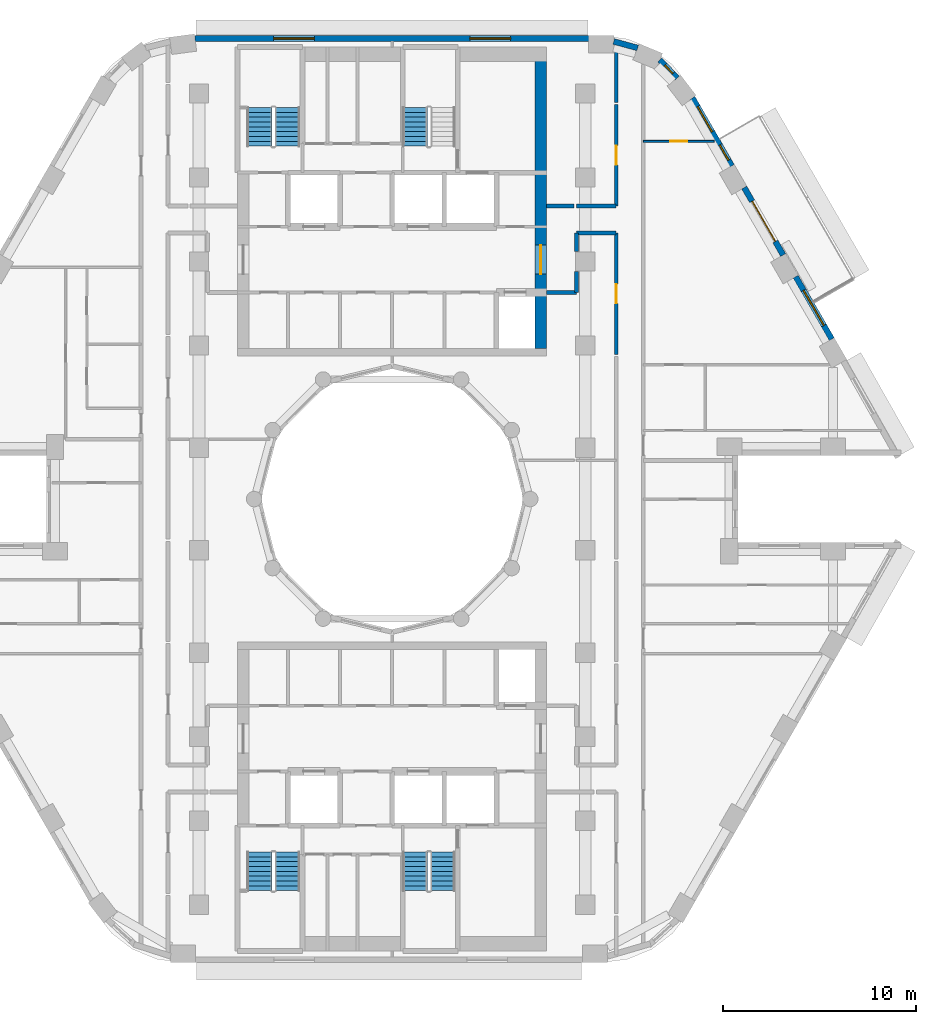
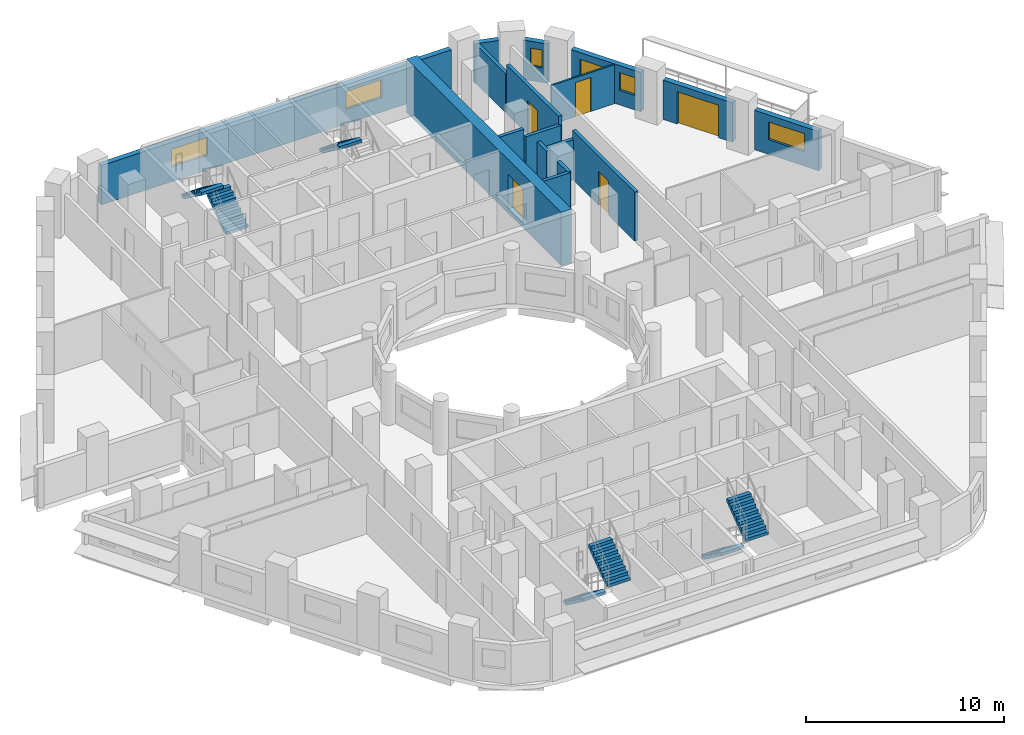
# One storey, part 9 of 14: 17 walls, 7 stair flights, 6 windows, 5 doors, 11 openings, 4 elements without a shape of their own.
"""IFC4 building model written with IfcOpenShell, lengths in metres."""

from ifc_helpers import new_model, si_unit, direction, frame, frame_2d, origin, place, context, subcontext, project, spatial, polyline, rectangle, outline, extrude, material, layer, layer_set, type_object, element, fill, aggregate, save


model = new_model("IFC4")

# Units and contexts
model_context = context("Model", 3, precision=1e-05, world=origin(), true_north=direction((0.0, 1.0)))
body_context = subcontext(model_context, "Body", "Model", "MODEL_VIEW")
ifc_project = project(units=[si_unit("LENGTHUNIT", "METRE"), si_unit("AREAUNIT", "SQUARE_METRE"), si_unit("VOLUMEUNIT", "CUBIC_METRE"), si_unit("PLANEANGLEUNIT", "RADIAN"), si_unit("MASSUNIT", "GRAM", prefix="KILO")], contexts=[model_context])

# Site, building, storey
site_placement = place(None, origin())
site = spatial("IfcSite", under=ifc_project, at=site_placement, CompositionType="ELEMENT")
building_placement = place(site_placement, origin())
building = spatial("IfcBuilding", under=site, at=building_placement, Name="Nakaniwa Court", CompositionType="ELEMENT")
storey_placement = place(building_placement, frame((0.0, 0.0, 163.5)))
storey = spatial("IfcBuildingStorey", under=building, at=storey_placement, Name="L43", CompositionType="ELEMENT", Elevation=163.5)

# Wall, opening, door
ifc_material_1 = material(Name="Acoustic double stud partition")
ifc_layer_1 = layer(ifc_material_1, 0.199951171875)
ifc_layer_set_1 = layer_set([ifc_layer_1], Name="Acoustic double stud partition")
wall_type_1 = type_object("IfcWallType", Name="Acoustic double stud partition 200", PredefinedType="PARTITIONING", material=ifc_layer_set_1)
wall_1_placement = place(storey_placement, frame((91.60009765625, 87.4873046875, 0.0), z_axis=(0.0, 0.0, 1.0), x_axis=(0.0, 1.0, 0.0)))
wall_1 = element("IfcWall", 1, at=wall_1_placement, inside=storey, type_object=wall_type_1, Name="Partition PW-078", PredefinedType="PARTITIONING", context=body_context, shape_type="SweptSolid", body=[
    extrude(rectangle(XDim=6.28759765625, YDim=0.199951171875, at=frame_2d((3.143798828125, 0.0))), origin(), (0.0, 0.0, 1.0), 3.02490234375),
])
opening_1_placement = place(wall_1_placement, frame((2.64501953125, 0.0, 0.0)))
opening_1 = element("IfcOpeningElement", 2, at=opening_1_placement, cuts=wall_1, Name="Opening D-02-08", PredefinedType="OPENING", context=body_context, shape_type="SweptSolid", body=[
    extrude(rectangle(XDim=1.0, YDim=2.10009765625, at=frame_2d((0.5, 1.050048828125))), frame((0.0, 0.10986328125, 0.0), z_axis=(0.0, -1.0, 0.0), x_axis=(1.0, 0.0, 0.0)), (0.0, 0.0, 1.0), 0.219970703125),
])
ifc_material_2 = material(Name="Solid core timber door set, black veneer", Category="wood")
door_type_1 = type_object("IfcDoorType", Name="Internal door 1000", OperationType="NOTDEFINED", PredefinedType="DOOR", material=ifc_material_2)
door_1_placement = place(opening_1_placement, origin())
door_1 = element("IfcDoor", 3, at=door_1_placement, inside=storey, type_object=door_type_1, Name="Door D-02-08 L43-054", OperationType="SINGLE_SWING_LEFT", OverallHeight=2.10009765625, OverallWidth=1.0, PredefinedType="DOOR", context=body_context, shape_type="SweptSolid", body=[
    extrude(rectangle(XDim=1.0, YDim=2.10009765625, at=frame_2d((0.5, 1.050048828125))), frame((0.0, 0.02490234375, 0.0), z_axis=(0.0, -1.0, 0.0), x_axis=(1.0, 0.0, 0.0)), (0.0, 0.0, 1.0), 0.050048828125),
])
fill(opening_1, door_1)

wall_2_placement = place(storey_placement, frame((91.60009765625, 95.175048828125, 0.0), z_axis=(0.0, 0.0, 1.0), x_axis=(0.0, 1.0, 0.0)))
wall_2 = element("IfcWall", 4, at=wall_2_placement, inside=storey, type_object=wall_type_1, Name="Partition PW-079", PredefinedType="PARTITIONING", context=body_context, shape_type="SweptSolid", body=[
    extrude(rectangle(XDim=5.247802734375, YDim=0.199951171875, at=frame_2d((2.6240234375, 0.0))), origin(), (0.0, 0.0, 1.0), 3.02490234375),
])
opening_2_placement = place(wall_2_placement, frame((2.123046875, 0.0, 0.0)))
opening_2 = element("IfcOpeningElement", 5, at=opening_2_placement, cuts=wall_2, Name="Opening D-02-09", PredefinedType="OPENING", context=body_context, shape_type="SweptSolid", body=[
    extrude(rectangle(XDim=1.0, YDim=2.10009765625, at=frame_2d((0.5, 1.050048828125))), frame((0.0, 0.10986328125, 0.0), z_axis=(0.0, -1.0, 0.0), x_axis=(1.0, 0.0, 0.0)), (0.0, 0.0, 1.0), 0.219970703125),
])
door_2_placement = place(opening_2_placement, origin())
door_2 = element("IfcDoor", 6, at=door_2_placement, inside=storey, type_object=door_type_1, Name="Door D-02-09 L43-055", OperationType="SINGLE_SWING_RIGHT", OverallHeight=2.10009765625, OverallWidth=1.0, PredefinedType="DOOR", context=body_context, shape_type="SweptSolid", body=[
    extrude(rectangle(XDim=1.0, YDim=2.10009765625, at=frame_2d((0.5, 1.050048828125))), frame((0.0, 0.02490234375, 0.0), z_axis=(0.0, -1.0, 0.0), x_axis=(1.0, 0.0, 0.0)), (0.0, 0.0, 1.0), 0.050048828125),
])
fill(opening_2, door_2)

# Walls
wall_3_placement = place(storey_placement, frame((91.60009765625, 100.537109375, 0.0), z_axis=(0.0, 0.0, 1.0), x_axis=(0.0, 1.0, 0.0)))
element("IfcWall", 7, at=wall_3_placement, inside=storey, type_object=wall_type_1, Name="Partition PW-080", PredefinedType="PARTITIONING", context=body_context, shape_type="SweptSolid", body=[
    extrude(rectangle(XDim=3.06201171875, YDim=0.199951171875, at=frame_2d((1.531005859375, 0.0))), origin(), (0.0, 0.0, 1.0), 2.405029296875),
])
wall_4_placement = place(storey_placement, frame((89.550048828125, 90.699951171875, 0.0), z_axis=(0.0, 0.0, 1.0), x_axis=(0.0, 1.0, 0.0)))
element("IfcWall", 8, at=wall_4_placement, inside=storey, type_object=wall_type_1, Name="Partition PW-090", PredefinedType="PARTITIONING", context=body_context, shape_type="SweptSolid", body=[
    extrude(rectangle(XDim=1.082763671875, YDim=0.199951171875, at=frame_2d((0.54150390625, 0.0))), origin(), (0.0, 0.0, 1.0), 3.02490234375),
])
wall_5_placement = place(storey_placement, frame((89.550048828125, 92.817138671875, 0.0), z_axis=(0.0, 0.0, 1.0), x_axis=(0.0, 1.0, 0.0)))
element("IfcWall", 9, at=wall_5_placement, inside=storey, type_object=wall_type_1, Name="Partition PW-091", PredefinedType="PARTITIONING", context=body_context, shape_type="SweptSolid", body=[
    extrude(rectangle(XDim=0.957763671875, YDim=0.199951171875, at=frame_2d((0.47900390625, 0.0))), origin(), (0.0, 0.0, 1.0), 3.02490234375),
])
wall_6_placement = place(storey_placement, frame((89.550048828125, 93.77490234375, 0.0), z_axis=(0.0, 0.0, 1.0), x_axis=(1.0, 0.0, 0.0)))
element("IfcWall", 10, at=wall_6_placement, inside=storey, type_object=wall_type_1, Name="Partition PW-095", PredefinedType="PARTITIONING", context=body_context, shape_type="SweptSolid", body=[
    extrude(rectangle(XDim=2.050048828125, YDim=0.199951171875, at=frame_2d((1.02490234375, 0.0))), origin(), (0.0, 0.0, 1.0), 2.5048828125),
])
wall_7_placement = place(storey_placement, frame((88.0, 90.699951171875, 0.0), z_axis=(0.0, 0.0, 1.0), x_axis=(1.0, 0.0, 0.0)))
element("IfcWall", 11, at=wall_7_placement, inside=storey, type_object=wall_type_1, Name="Partition PW-097", PredefinedType="PARTITIONING", context=body_context, shape_type="SweptSolid", body=[
    extrude(rectangle(XDim=1.550048828125, YDim=0.199951171875, at=frame_2d((0.77490234375, 0.0))), origin(), (0.0, 0.0, 1.0), 3.02490234375),
])
wall_8_placement = place(storey_placement, frame((88.0, 95.175048828125, 0.0), z_axis=(0.0, 0.0, 1.0), x_axis=(1.0, 0.0, 0.0)))
element("IfcWall", 12, at=wall_8_placement, inside=storey, type_object=wall_type_1, Name="Partition PW-100", PredefinedType="PARTITIONING", context=body_context, shape_type="SweptSolid", body=[
    extrude(rectangle(XDim=1.4228515625, YDim=0.199951171875, at=frame_2d((0.71142578125, 0.0))), origin(), (0.0, 0.0, 1.0), 3.02490234375),
])
wall_9_placement = place(storey_placement, frame((89.537109375, 95.175048828125, 0.0), z_axis=(0.0, 0.0, 1.0), x_axis=(1.0, 0.0, 0.0)))
element("IfcWall", 13, at=wall_9_placement, inside=storey, type_object=wall_type_1, Name="Partition PW-101", PredefinedType="PARTITIONING", context=body_context, shape_type="SweptSolid", body=[
    extrude(rectangle(XDim=2.06298828125, YDim=0.199951171875, at=frame_2d((1.031494140625, 0.0))), origin(), (0.0, 0.0, 1.0), 2.5048828125),
])

# Wall, opening, window
ifc_material_3 = material(Name="Charcoal ceramic cladding")
ifc_layer_2 = layer(ifc_material_3, 0.02, Name="Ceramic cladding")
ifc_material_4 = material(Name="Ventilated air cavity")
ifc_layer_3 = layer(ifc_material_4, 0.04, ventilated=True, Name="Ventilated cavity")
ifc_material_5 = material(Name="Mineral wool insulation")
ifc_layer_4 = layer(ifc_material_5, 0.1, Name="Insulation")
ifc_material_6 = material(Name="Cement bonded sheathing board")
ifc_layer_5 = layer(ifc_material_6, 0.012, Name="Sheathing")
ifc_material_7 = material(Name="Cold-formed galvanised stud frame with mineral wool infill")
ifc_layer_6 = layer(ifc_material_7, 0.1, Name="Stud frame")
ifc_material_8 = material(Name="Fire-rated gypsum plasterboard lining")
ifc_layer_7 = layer(ifc_material_8, 0.028, Name="Lining")
ifc_layer_set_2 = layer_set([ifc_layer_2, ifc_layer_3, ifc_layer_4, ifc_layer_5, ifc_layer_6, ifc_layer_7], Name="Charcoal ceramic faced external wall system")
wall_type_2 = type_object("IfcWallType", Name="Black ceramic faced external wall 300", PredefinedType="SOLIDWALL", material=ifc_layer_set_2)
wall_10_placement = place(storey_placement, frame((102.759521484375, 88.279052734375, 0.0), z_axis=(0.0, 0.0, 1.0), x_axis=(-0.499933594891, 0.866063739398, 0.0)))
wall_10 = element("IfcWall", 14, at=wall_10_placement, inside=storey, type_object=wall_type_2, Name="L43 external wall 03", PredefinedType="SOLIDWALL", context=body_context, shape_type="SweptSolid", body=[
    extrude(rectangle(XDim=3.73681640625, YDim=0.300048828125, at=frame_2d((1.868408203125, 0.0))), origin(), (0.0, 0.0, 1.0), 2.425048828125),
])
opening_3_placement = place(wall_10_placement, frame((0.818359375, 0.0, 0.89990234375)))
opening_3 = element("IfcOpeningElement", 15, at=opening_3_placement, cuts=wall_10, Name="Opening W7.02", PredefinedType="OPENING", context=body_context, shape_type="SweptSolid", body=[
    extrude(rectangle(XDim=2.10009765625, YDim=1.10009765625, at=frame_2d((1.050048828125, 0.550048828125))), frame((0.0, 0.159912109375, 0.0), z_axis=(0.0, -1.0, 0.0), x_axis=(1.0, 0.0, 0.0)), (0.0, 0.0, 1.0), 0.320068359375),
])
ifc_material_9 = material(Name="Black anodised aluminium frame with dark low-E laminated double glazing", Category="aluminium")
window_type_1 = type_object("IfcWindowType", Name="Dark glass window 2100x1100 sill 900", PartitioningType="SINGLE_PANEL", PredefinedType="WINDOW", material=ifc_material_9)
window_1_placement = place(opening_3_placement, origin())
window_1 = element("IfcWindow", 16, at=window_1_placement, inside=storey, type_object=window_type_1, Name="L43 living window 03-0", OverallHeight=1.10009765625, OverallWidth=2.10009765625, PartitioningType="SINGLE_PANEL", PredefinedType="WINDOW", context=body_context, shape_type="SweptSolid", body=[
    extrude(rectangle(XDim=2.10009765625, YDim=1.10009765625, at=frame_2d((1.050048828125, 0.550048828125))), frame((0.0, 0.030029296875, 0.0), z_axis=(0.0, -1.0, 0.0), x_axis=(1.0, 0.0, 0.0)), (0.0, 0.0, 1.0), 0.06005859375),
])
fill(opening_3, window_1)

# Wall, opening, door
wall_11_placement = place(storey_placement, frame((100.245361328125, 92.63427734375, 0.0), z_axis=(0.0, 0.0, 1.0), x_axis=(-0.500031546601, 0.86600718958, 0.0)))
wall_11 = element("IfcWall", 17, at=wall_11_placement, inside=storey, type_object=wall_type_2, Name="L43 external wall 04", PredefinedType="SOLIDWALL", context=body_context, shape_type="SweptSolid", body=[
    extrude(rectangle(XDim=4.033935546875, YDim=0.300048828125, at=frame_2d((2.01708984375, 0.0))), origin(), (0.0, 0.0, 1.0), 2.425048828125),
])
opening_4_placement = place(wall_11_placement, frame((0.81689453125, 0.0, 0.0)))
opening_4 = element("IfcOpeningElement", 18, at=opening_4_placement, cuts=wall_11, Name="Opening XD13.01", PredefinedType="OPENING", context=body_context, shape_type="SweptSolid", body=[
    extrude(rectangle(XDim=2.39990234375, YDim=2.0, at=frame_2d((1.199951171875, 1.0))), frame((0.0, 0.159912109375, 0.0), z_axis=(0.0, -1.0, 0.0), x_axis=(1.0, 0.0, 0.0)), (0.0, 0.0, 1.0), 0.320068359375),
])
ifc_material_10 = material(Name="Black powder-coated aluminium frame with dark laminated glass", Category="aluminium")
door_type_2 = type_object("IfcDoorType", Name="Balcony sliding door 2400x2000", OperationType="DOUBLE_DOOR_SLIDING", PredefinedType="DOOR", material=ifc_material_10)
door_3_placement = place(opening_4_placement, origin())
door_3 = element("IfcDoor", 19, at=door_3_placement, inside=storey, type_object=door_type_2, Name="L43 balcony sliding door 01", OperationType="DOUBLE_DOOR_SLIDING", OverallHeight=2.0, OverallWidth=2.39990234375, PredefinedType="DOOR", context=body_context, shape_type="SweptSolid", body=[
    extrude(rectangle(XDim=2.39990234375, YDim=2.0, at=frame_2d((1.199951171875, 1.0))), frame((0.0, 0.02490234375, 0.0), z_axis=(0.0, -1.0, 0.0), x_axis=(1.0, 0.0, 0.0)), (0.0, 0.0, 1.0), 0.050048828125),
])
fill(opening_4, door_3)

# Wall, openings, windows
wall_12_placement = place(storey_placement, frame((97.582275390625, 97.24658203125, 0.0), z_axis=(0.0, 0.0, 1.0), x_axis=(-0.500018589245, 0.866014671013, 0.0)))
wall_12 = element("IfcWall", 20, at=wall_12_placement, inside=storey, type_object=wall_type_2, Name="L43 external wall 05", PredefinedType="SOLIDWALL", context=body_context, shape_type="SweptSolid", body=[
    extrude(rectangle(XDim=4.067626953125, YDim=0.300048828125, at=frame_2d((2.03369140625, 0.0))), origin(), (0.0, 0.0, 1.0), 2.425048828125),
])
opening_5_placement = place(wall_12_placement, frame((0.346435546875, 0.0, 0.89990234375)))
opening_5 = element("IfcOpeningElement", 21, at=opening_5_placement, cuts=wall_12, Name="Opening W9.03", PredefinedType="OPENING", context=body_context, shape_type="SweptSolid", body=[
    extrude(rectangle(XDim=0.89990234375, YDim=1.10009765625, at=frame_2d((0.449951171875, 0.550048828125))), frame((0.0, 0.159912109375, 0.0), z_axis=(0.0, -1.0, 0.0), x_axis=(1.0, 0.0, 0.0)), (0.0, 0.0, 1.0), 0.320068359375),
])
opening_6_placement = place(wall_12_placement, frame((2.045166015625, 0.0, 0.89990234375)))
opening_6 = element("IfcOpeningElement", 22, at=opening_6_placement, cuts=wall_12, Name="Opening W5.04", PredefinedType="OPENING", context=body_context, shape_type="SweptSolid", body=[
    extrude(rectangle(XDim=1.5, YDim=1.10009765625, at=frame_2d((0.75, 0.550048828125))), frame((0.0, 0.159912109375, 0.0), z_axis=(0.0, -1.0, 0.0), x_axis=(1.0, 0.0, 0.0)), (0.0, 0.0, 1.0), 0.320068359375),
])
window_type_2 = type_object("IfcWindowType", Name="Dark glass window 1500x1100 sill 900", PartitioningType="SINGLE_PANEL", PredefinedType="WINDOW", material=ifc_material_9)
window_2_placement = place(opening_6_placement, origin())
window_2 = element("IfcWindow", 23, at=window_2_placement, inside=storey, type_object=window_type_2, Name="L43 habitable room window 05-1", OverallHeight=1.10009765625, OverallWidth=1.5, PartitioningType="SINGLE_PANEL", PredefinedType="WINDOW", context=body_context, shape_type="SweptSolid", body=[
    extrude(rectangle(XDim=1.5, YDim=1.10009765625, at=frame_2d((0.75, 0.550048828125))), frame((0.0, 0.030029296875, 0.0), z_axis=(0.0, -1.0, 0.0), x_axis=(1.0, 0.0, 0.0)), (0.0, 0.0, 1.0), 0.06005859375),
])
fill(opening_6, window_2)
window_type_3 = type_object("IfcWindowType", Name="Dark glass window 900x1100 sill 900", PartitioningType="SINGLE_PANEL", PredefinedType="WINDOW", material=ifc_material_9)
window_3_placement = place(opening_5_placement, origin())
window_3 = element("IfcWindow", 24, at=window_3_placement, inside=storey, type_object=window_type_3, Name="L43 living window 05-0", OverallHeight=1.10009765625, OverallWidth=0.89990234375, PartitioningType="SINGLE_PANEL", PredefinedType="WINDOW", context=body_context, shape_type="SweptSolid", body=[
    extrude(rectangle(XDim=0.89990234375, YDim=1.10009765625, at=frame_2d((0.449951171875, 0.550048828125))), frame((0.0, 0.030029296875, 0.0), z_axis=(0.0, -1.0, 0.0), x_axis=(1.0, 0.0, 0.0)), (0.0, 0.0, 1.0), 0.06005859375),
])
fill(opening_5, window_3)

# Wall, opening, window
wall_13_placement = place(storey_placement, frame((94.76318359375, 101.79541015625, 0.0), z_axis=(0.0, 0.0, 1.0), x_axis=(-0.697598997785, 0.716488407645, 0.0)))
wall_13 = element("IfcWall", 25, at=wall_13_placement, inside=storey, type_object=wall_type_2, Name="L43 external wall 06", PredefinedType="SOLIDWALL", context=body_context, shape_type="SweptSolid", body=[
    extrude(rectangle(XDim=1.305419921875, YDim=0.300048828125, at=frame_2d((0.65283203125, 0.0))), origin(), (0.0, 0.0, 1.0), 2.425048828125),
])
opening_7_placement = place(wall_13_placement, frame((0.328369140625, 0.0, 0.89990234375)))
opening_7 = element("IfcOpeningElement", 26, at=opening_7_placement, cuts=wall_13, Name="Opening W8.05", PredefinedType="OPENING", context=body_context, shape_type="SweptSolid", body=[
    extrude(rectangle(XDim=0.60009765625, YDim=1.10009765625, at=frame_2d((0.300048828125, 0.550048828125))), frame((0.0, 0.159912109375, 0.0), z_axis=(0.0, -1.0, 0.0), x_axis=(1.0, 0.0, 0.0)), (0.0, 0.0, 1.0), 0.320068359375),
])
window_type_4 = type_object("IfcWindowType", Name="Dark glass window 600x1100 sill 900", PartitioningType="SINGLE_PANEL", PredefinedType="WINDOW", material=ifc_material_9)
window_4_placement = place(opening_7_placement, origin())
window_4 = element("IfcWindow", 27, at=window_4_placement, inside=storey, type_object=window_type_4, Name="L43 habitable room window 06-0", OverallHeight=1.10009765625, OverallWidth=0.60009765625, PartitioningType="SINGLE_PANEL", PredefinedType="WINDOW", context=body_context, shape_type="SweptSolid", body=[
    extrude(rectangle(XDim=0.60009765625, YDim=1.10009765625, at=frame_2d((0.300048828125, 0.550048828125))), frame((0.0, 0.030029296875, 0.0), z_axis=(0.0, -1.0, 0.0), x_axis=(1.0, 0.0, 0.0)), (0.0, 0.0, 1.0), 0.06005859375),
])
fill(opening_7, window_4)

# Wall
wall_14_placement = place(storey_placement, frame((92.712890625, 103.3564453125, 0.0), z_axis=(0.0, 0.0, 1.0), x_axis=(-0.965274225809, 0.26123872031, 0.0)))
element("IfcWall", 28, at=wall_14_placement, inside=storey, type_object=wall_type_2, Name="L43 external wall 07", PredefinedType="SOLIDWALL", context=body_context, shape_type="SweptSolid", body=[
    extrude(rectangle(XDim=1.286865234375, YDim=0.300048828125, at=frame_2d((0.6435546875, 0.0))), origin(), (0.0, 0.0, 1.0), 2.425048828125),
])

# Wall, openings, windows
wall_15_placement = place(storey_placement, frame((90.1787109375, 103.85009765625, 0.0), z_axis=(0.0, 0.0, 1.0), x_axis=(-1.0, 0.0, 0.0)))
wall_15 = element("IfcWall", 29, at=wall_15_placement, inside=storey, type_object=wall_type_2, Name="L43 external wall 08", PredefinedType="SOLIDWALL", context=body_context, shape_type="SweptSolid", body=[
    extrude(rectangle(XDim=20.391357421875, YDim=0.300048828125, at=frame_2d((10.19580078125, 0.0))), origin(), (0.0, 0.0, 1.0), 2.425048828125),
])
opening_8_placement = place(wall_15_placement, frame((4.05126953125, 0.0, 0.89990234375)))
opening_8 = element("IfcOpeningElement", 30, at=opening_8_placement, cuts=wall_15, Name="Opening W7.06", PredefinedType="OPENING", context=body_context, shape_type="SweptSolid", body=[
    extrude(rectangle(XDim=2.10009765625, YDim=1.10009765625, at=frame_2d((1.050048828125, 0.550048828125))), frame((0.0, 0.159912109375, 0.0), z_axis=(0.0, -1.0, 0.0), x_axis=(1.0, 0.0, 0.0)), (0.0, 0.0, 1.0), 0.320068359375),
])
opening_9_placement = place(wall_15_placement, frame((14.211669921875, 0.0, 0.89990234375)))
opening_9 = element("IfcOpeningElement", 31, at=opening_9_placement, cuts=wall_15, Name="Opening W7.07", PredefinedType="OPENING", context=body_context, shape_type="SweptSolid", body=[
    extrude(rectangle(XDim=2.10009765625, YDim=1.10009765625, at=frame_2d((1.050048828125, 0.550048828125))), frame((0.0, 0.159912109375, 0.0), z_axis=(0.0, -1.0, 0.0), x_axis=(1.0, 0.0, 0.0)), (0.0, 0.0, 1.0), 0.320068359375),
])
window_5_placement = place(opening_8_placement, origin())
window_5 = element("IfcWindow", 32, at=window_5_placement, inside=storey, type_object=window_type_1, Name="L43 habitable room window 08-0", OverallHeight=1.10009765625, OverallWidth=2.10009765625, PartitioningType="SINGLE_PANEL", PredefinedType="WINDOW", context=body_context, shape_type="SweptSolid", body=[
    extrude(rectangle(XDim=2.10009765625, YDim=1.10009765625, at=frame_2d((1.050048828125, 0.550048828125))), frame((0.0, 0.030029296875, 0.0), z_axis=(0.0, -1.0, 0.0), x_axis=(1.0, 0.0, 0.0)), (0.0, 0.0, 1.0), 0.06005859375),
])
fill(opening_8, window_5)
window_6_placement = place(opening_9_placement, origin())
window_6 = element("IfcWindow", 33, at=window_6_placement, inside=storey, type_object=window_type_1, Name="L43 habitable room window 08-1", OverallHeight=1.10009765625, OverallWidth=2.10009765625, PartitioningType="SINGLE_PANEL", PredefinedType="WINDOW", context=body_context, shape_type="SweptSolid", body=[
    extrude(rectangle(XDim=2.10009765625, YDim=1.10009765625, at=frame_2d((1.050048828125, 0.550048828125))), frame((0.0, 0.030029296875, 0.0), z_axis=(0.0, -1.0, 0.0), x_axis=(1.0, 0.0, 0.0)), (0.0, 0.0, 1.0), 0.06005859375),
])
fill(opening_9, window_6)

# Wall, opening, door
ifc_material_11 = material(Name="Concrete C80/100", Category="concrete")
ifc_layer_8 = layer(ifc_material_11, 0.60009765625)
ifc_layer_set_3 = layer_set([ifc_layer_8], Name="Concrete C80/100")
wall_type_3 = type_object("IfcWallType", Name="Concrete core side wall 600 C80", PredefinedType="SHEAR", material=ifc_layer_set_3)
wall_16_placement = place(storey_placement, frame((87.699951171875, 103.39990234375, -0.27490234375), z_axis=(0.0, 0.0, 1.0), x_axis=(0.0, -1.0, 0.0)))
wall_16 = element("IfcWall", 34, at=wall_16_placement, inside=storey, type_object=wall_type_3, Name="Core wall SW-07", PredefinedType="SHEAR", context=body_context, shape_type="SweptSolid", body=[
    extrude(rectangle(XDim=15.599853515625, YDim=0.60009765625, at=frame_2d((7.7998046875, 0.0))), origin(), (0.0, 0.0, 1.0), 3.2998046875),
])
opening_10_placement = place(wall_16_placement, frame((10.248046875, 0.0, 0.27490234375)))
opening_10 = element("IfcOpeningElement", 35, at=opening_10_placement, cuts=wall_16, Name="Opening D-07-01", PredefinedType="OPENING", context=body_context, shape_type="SweptSolid", body=[
    extrude(rectangle(XDim=1.5, YDim=2.10009765625, at=frame_2d((0.75, 1.050048828125))), frame((0.0, 0.31005859375, 0.0), z_axis=(0.0, -1.0, 0.0), x_axis=(1.0, 0.0, 0.0)), (0.0, 0.0, 1.0), 0.6201171875),
])
ifc_material_12 = material(Name="Glazed fire rated steel double door set", Category="steel")
door_type_3 = type_object("IfcDoorType", Name="Lobby double door 1500", OperationType="NOTDEFINED", PredefinedType="DOOR", material=ifc_material_12)
door_4_placement = place(opening_10_placement, origin())
door_4 = element("IfcDoor", 36, at=door_4_placement, inside=storey, type_object=door_type_3, Name="Door D-07-01 L43-058", OperationType="DOUBLE_DOOR_SINGLE_SWING", OverallHeight=2.10009765625, OverallWidth=1.5, PredefinedType="DOOR", context=body_context, shape_type="SweptSolid", body=[
    extrude(rectangle(XDim=1.5, YDim=2.10009765625, at=frame_2d((0.75, 1.050048828125))), frame((0.0, 0.02490234375, 0.0), z_axis=(0.0, -1.0, 0.0), x_axis=(1.0, 0.0, 0.0)), (0.0, 0.0, 1.0), 0.050048828125),
])
fill(opening_10, door_4)

ifc_material_13 = material(Name="Single stud plasterboard partition")
ifc_layer_9 = layer(ifc_material_13, 0.10009765625)
ifc_layer_set_4 = layer_set([ifc_layer_9], Name="Single stud plasterboard partition")
wall_type_4 = type_object("IfcWallType", Name="Single stud plasterboard partition 100", PredefinedType="PARTITIONING", material=ifc_layer_set_4)
wall_17_placement = place(storey_placement, frame((93.0009765625, 98.52001953125, 0.0), z_axis=(0.0, 0.0, 1.0), x_axis=(1.0, 0.0, 0.0)))
wall_17 = element("IfcWall", 37, at=wall_17_placement, inside=storey, type_object=wall_type_4, Name="Partition PW-131", PredefinedType="PARTITIONING", context=body_context, shape_type="SweptSolid", body=[
    extrude(rectangle(XDim=3.672607421875, YDim=0.10009765625, at=frame_2d((1.83642578125, 0.0))), origin(), (0.0, 0.0, 1.0), 2.405029296875),
])
opening_11_placement = place(wall_17_placement, frame((1.385986328125, 0.0, 0.0)))
opening_11 = element("IfcOpeningElement", 38, at=opening_11_placement, cuts=wall_17, Name="Opening D-33-05", PredefinedType="OPENING", context=body_context, shape_type="SweptSolid", body=[
    extrude(rectangle(XDim=0.89990234375, YDim=2.10009765625, at=frame_2d((0.449951171875, 1.050048828125))), frame((0.0, 0.06005859375, 0.0), z_axis=(0.0, -1.0, 0.0), x_axis=(1.0, 0.0, 0.0)), (0.0, 0.0, 1.0), 0.1201171875),
])
door_type_4 = type_object("IfcDoorType", Name="Internal door 900", OperationType="NOTDEFINED", PredefinedType="DOOR", material=ifc_material_2)
door_5_placement = place(opening_11_placement, origin())
door_5 = element("IfcDoor", 39, at=door_5_placement, inside=storey, type_object=door_type_4, Name="Door D-33-05 L43-040", OperationType="SINGLE_SWING_LEFT", OverallHeight=2.10009765625, OverallWidth=0.89990234375, PredefinedType="DOOR", context=body_context, shape_type="SweptSolid", body=[
    extrude(rectangle(XDim=0.89990234375, YDim=2.10009765625, at=frame_2d((0.449951171875, 1.050048828125))), frame((0.0, 0.02490234375, 0.0), z_axis=(0.0, -1.0, 0.0), x_axis=(1.0, 0.0, 0.0)), (0.0, 0.0, 1.0), 0.050048828125),
])
fill(opening_11, door_5)

# Stair, stair flights
stair_type = type_object("IfcStairType", Name="Dog leg stair 1300 wide 18 risers", PredefinedType="HALF_TURN_STAIR", material=ifc_material_11)
stair_1_placement = place(storey_placement, origin())
stair_1 = element("IfcStair", 40, at=stair_1_placement, inside=storey, type_object=stair_type, Name="L43 Stair ST1", PredefinedType="HALF_TURN_STAIR")
stair_flight_type = type_object("IfcStairFlightType", Name="Stair flight 1300 wide 9 risers", PredefinedType="STRAIGHT", material=ifc_material_11)
stair_flight_1_placement = place(storey_placement, frame((74.574951171875, 98.27490234375, 0.0), z_axis=(0.0, 0.0, 1.0), x_axis=(0.0, 1.0, 0.0)))
stair_flight_1 = element("IfcStairFlight", 41, at=stair_flight_1_placement, type_object=stair_flight_type, Name="ST1 flight 1", NumberOfRisers=9, NumberOfTreads=8, PredefinedType="STRAIGHT", RiserHeight=0.183333333, TreadLength=0.25, context=body_context, shape_type="SweptSolid", body=[
    extrude(outline(polyline([(0.0, 0.0), (0.0, 0.026123046875), (0.0, 0.052490234375), (0.0, 0.07861328125), (0.0, 0.104736328125), (0.0, 0.130859375), (0.0, 0.1572265625), (0.0, 0.183349609375), (0.25, 0.183349609375), (0.25, 0.36669921875), (0.5, 0.36669921875), (0.5, 0.550048828125), (0.75, 0.550048828125), (0.75, 0.7333984375), (1.0, 0.7333984375), (1.0, 0.916748046875), (1.25, 0.916748046875), (1.25, 1.10009765625), (1.5, 1.10009765625), (1.5, 1.283447265625), (1.75, 1.283447265625), (1.75, 1.466552734375), (2.0, 1.466552734375), (2.0, 1.64990234375), (2.0, 1.59716796875), (2.0, 1.54443359375), (2.0, 1.49169921875), (2.0, 1.43896484375), (2.0, 1.38623046875), (2.0, 1.33349609375), (2.0, 1.28076171875), (0.25341796875, 0.0), (0.0, 0.0)])), frame((0.0, 0.64990234375, 0.0), z_axis=(0.0, -1.0, 0.0), x_axis=(1.0, 0.0, 0.0)), (0.0, 0.0, 1.0), 1.300048828125),
])
stair_flight_2_placement = place(storey_placement, frame((73.125, 100.27490234375, 1.64990234375), z_axis=(0.0, 0.0, 1.0), x_axis=(0.0, -1.0, 0.0)))
stair_flight_2 = element("IfcStairFlight", 42, at=stair_flight_2_placement, type_object=stair_flight_type, Name="ST1 flight 2", NumberOfRisers=9, NumberOfTreads=8, PredefinedType="STRAIGHT", RiserHeight=0.183333333, TreadLength=0.25, context=body_context, shape_type="SweptSolid", body=[
    extrude(outline(polyline([(0.0, 0.0), (0.0, 0.026123046875), (0.0, 0.052490234375), (0.0, 0.07861328125), (0.0, 0.104736328125), (0.0, 0.130859375), (0.0, 0.1572265625), (0.0, 0.183349609375), (0.25, 0.183349609375), (0.25, 0.36669921875), (0.5, 0.36669921875), (0.5, 0.550048828125), (0.75, 0.550048828125), (0.75, 0.7333984375), (1.0, 0.7333984375), (1.0, 0.916748046875), (1.25, 0.916748046875), (1.25, 1.10009765625), (1.5, 1.10009765625), (1.5, 1.283447265625), (1.75, 1.283447265625), (1.75, 1.466552734375), (2.0, 1.466552734375), (2.0, 1.64990234375), (2.0, 1.59716796875), (2.0, 1.54443359375), (2.0, 1.49169921875), (2.0, 1.43896484375), (2.0, 1.38623046875), (2.0, 1.33349609375), (2.0, 1.28076171875), (0.25341796875, 0.0), (0.0, 0.0)])), frame((0.0, 0.64990234375, 0.0), z_axis=(0.0, -1.0, 0.0), x_axis=(1.0, 0.0, 0.0)), (0.0, 0.0, 1.0), 1.300048828125),
])
aggregate(stair_1, [stair_flight_1, stair_flight_2])

# Stair, stair flight
stair_2_placement = place(storey_placement, origin())
stair_2 = element("IfcStair", 43, at=stair_2_placement, inside=storey, type_object=stair_type, Name="L43 Stair ST2", PredefinedType="HALF_TURN_STAIR")
stair_flight_3_placement = place(storey_placement, frame((81.175048828125, 100.27490234375, 1.64990234375), z_axis=(0.0, 0.0, 1.0), x_axis=(0.0, -1.0, 0.0)))
stair_flight_3 = element("IfcStairFlight", 44, at=stair_flight_3_placement, type_object=stair_flight_type, Name="ST2 flight 2", NumberOfRisers=9, NumberOfTreads=8, PredefinedType="STRAIGHT", RiserHeight=0.183333333, TreadLength=0.25, context=body_context, shape_type="SweptSolid", body=[
    extrude(outline(polyline([(0.0, 0.0), (0.0, 0.026123046875), (0.0, 0.052490234375), (0.0, 0.07861328125), (0.0, 0.104736328125), (0.0, 0.130859375), (0.0, 0.1572265625), (0.0, 0.183349609375), (0.25, 0.183349609375), (0.25, 0.36669921875), (0.5, 0.36669921875), (0.5, 0.550048828125), (0.75, 0.550048828125), (0.75, 0.7333984375), (1.0, 0.7333984375), (1.0, 0.916748046875), (1.25, 0.916748046875), (1.25, 1.10009765625), (1.5, 1.10009765625), (1.5, 1.283447265625), (1.75, 1.283447265625), (1.75, 1.466552734375), (2.0, 1.466552734375), (2.0, 1.64990234375), (2.0, 1.59716796875), (2.0, 1.54443359375), (2.0, 1.49169921875), (2.0, 1.43896484375), (2.0, 1.38623046875), (2.0, 1.33349609375), (2.0, 1.28076171875), (0.25341796875, 0.0), (0.0, 0.0)])), frame((0.0, 0.64990234375, 0.0), z_axis=(0.0, -1.0, 0.0), x_axis=(1.0, 0.0, 0.0)), (0.0, 0.0, 1.0), 1.300048828125),
])
aggregate(stair_2, [stair_flight_3])

# Stair, stair flights
stair_3_placement = place(storey_placement, origin())
stair_3 = element("IfcStair", 45, at=stair_3_placement, inside=storey, type_object=stair_type, Name="L43 Stair ST3", PredefinedType="HALF_TURN_STAIR")
stair_flight_4_placement = place(storey_placement, frame((73.125, 61.72509765625, 0.0), z_axis=(0.0, 0.0, 1.0), x_axis=(0.0, -1.0, 0.0)))
stair_flight_4 = element("IfcStairFlight", 46, at=stair_flight_4_placement, type_object=stair_flight_type, Name="ST3 flight 1", NumberOfRisers=9, NumberOfTreads=8, PredefinedType="STRAIGHT", RiserHeight=0.183333333, TreadLength=0.25, context=body_context, shape_type="SweptSolid", body=[
    extrude(outline(polyline([(0.0, 0.0), (0.0, 0.026123046875), (0.0, 0.052490234375), (0.0, 0.07861328125), (0.0, 0.104736328125), (0.0, 0.130859375), (0.0, 0.1572265625), (0.0, 0.183349609375), (0.25, 0.183349609375), (0.25, 0.36669921875), (0.5, 0.36669921875), (0.5, 0.550048828125), (0.75, 0.550048828125), (0.75, 0.7333984375), (1.0, 0.7333984375), (1.0, 0.916748046875), (1.25, 0.916748046875), (1.25, 1.10009765625), (1.5, 1.10009765625), (1.5, 1.283447265625), (1.75, 1.283447265625), (1.75, 1.466552734375), (2.0, 1.466552734375), (2.0, 1.64990234375), (2.0, 1.59716796875), (2.0, 1.54443359375), (2.0, 1.49169921875), (2.0, 1.43896484375), (2.0, 1.38623046875), (2.0, 1.33349609375), (2.0, 1.28076171875), (0.25341796875, 0.0), (0.0, 0.0)])), frame((0.0, 0.64990234375, 0.0), z_axis=(0.0, -1.0, 0.0), x_axis=(1.0, 0.0, 0.0)), (0.0, 0.0, 1.0), 1.300048828125),
])
stair_flight_5_placement = place(storey_placement, frame((74.574951171875, 59.72509765625, 1.64990234375), z_axis=(0.0, 0.0, 1.0), x_axis=(0.0, 1.0, 0.0)))
stair_flight_5 = element("IfcStairFlight", 47, at=stair_flight_5_placement, type_object=stair_flight_type, Name="ST3 flight 2", NumberOfRisers=9, NumberOfTreads=8, PredefinedType="STRAIGHT", RiserHeight=0.183333333, TreadLength=0.25, context=body_context, shape_type="SweptSolid", body=[
    extrude(outline(polyline([(0.0, 0.0), (0.0, 0.026123046875), (0.0, 0.052490234375), (0.0, 0.07861328125), (0.0, 0.104736328125), (0.0, 0.130859375), (0.0, 0.1572265625), (0.0, 0.183349609375), (0.25, 0.183349609375), (0.25, 0.36669921875), (0.5, 0.36669921875), (0.5, 0.550048828125), (0.75, 0.550048828125), (0.75, 0.7333984375), (1.0, 0.7333984375), (1.0, 0.916748046875), (1.25, 0.916748046875), (1.25, 1.10009765625), (1.5, 1.10009765625), (1.5, 1.283447265625), (1.75, 1.283447265625), (1.75, 1.466552734375), (2.0, 1.466552734375), (2.0, 1.64990234375), (2.0, 1.59716796875), (2.0, 1.54443359375), (2.0, 1.49169921875), (2.0, 1.43896484375), (2.0, 1.38623046875), (2.0, 1.33349609375), (2.0, 1.28076171875), (0.25341796875, 0.0), (0.0, 0.0)])), frame((0.0, 0.64990234375, 0.0), z_axis=(0.0, -1.0, 0.0), x_axis=(1.0, 0.0, 0.0)), (0.0, 0.0, 1.0), 1.300048828125),
])
aggregate(stair_3, [stair_flight_4, stair_flight_5])

stair_4_placement = place(storey_placement, origin())
stair_4 = element("IfcStair", 48, at=stair_4_placement, inside=storey, type_object=stair_type, Name="L43 Stair ST4", PredefinedType="HALF_TURN_STAIR")
stair_flight_6_placement = place(storey_placement, frame((81.175048828125, 61.72509765625, 0.0), z_axis=(0.0, 0.0, 1.0), x_axis=(0.0, -1.0, 0.0)))
stair_flight_6 = element("IfcStairFlight", 49, at=stair_flight_6_placement, type_object=stair_flight_type, Name="ST4 flight 1", NumberOfRisers=9, NumberOfTreads=8, PredefinedType="STRAIGHT", RiserHeight=0.183333333, TreadLength=0.25, context=body_context, shape_type="SweptSolid", body=[
    extrude(outline(polyline([(0.0, 0.0), (0.0, 0.026123046875), (0.0, 0.052490234375), (0.0, 0.07861328125), (0.0, 0.104736328125), (0.0, 0.130859375), (0.0, 0.1572265625), (0.0, 0.183349609375), (0.25, 0.183349609375), (0.25, 0.36669921875), (0.5, 0.36669921875), (0.5, 0.550048828125), (0.75, 0.550048828125), (0.75, 0.7333984375), (1.0, 0.7333984375), (1.0, 0.916748046875), (1.25, 0.916748046875), (1.25, 1.10009765625), (1.5, 1.10009765625), (1.5, 1.283447265625), (1.75, 1.283447265625), (1.75, 1.466552734375), (2.0, 1.466552734375), (2.0, 1.64990234375), (2.0, 1.59716796875), (2.0, 1.54443359375), (2.0, 1.49169921875), (2.0, 1.43896484375), (2.0, 1.38623046875), (2.0, 1.33349609375), (2.0, 1.28076171875), (0.25341796875, 0.0), (0.0, 0.0)])), frame((0.0, 0.64990234375, 0.0), z_axis=(0.0, -1.0, 0.0), x_axis=(1.0, 0.0, 0.0)), (0.0, 0.0, 1.0), 1.300048828125),
])
stair_flight_7_placement = place(storey_placement, frame((82.625, 59.72509765625, 1.64990234375), z_axis=(0.0, 0.0, 1.0), x_axis=(0.0, 1.0, 0.0)))
stair_flight_7 = element("IfcStairFlight", 50, at=stair_flight_7_placement, type_object=stair_flight_type, Name="ST4 flight 2", NumberOfRisers=9, NumberOfTreads=8, PredefinedType="STRAIGHT", RiserHeight=0.183333333, TreadLength=0.25, context=body_context, shape_type="SweptSolid", body=[
    extrude(outline(polyline([(0.0, 0.0), (0.0, 0.026123046875), (0.0, 0.052490234375), (0.0, 0.07861328125), (0.0, 0.104736328125), (0.0, 0.130859375), (0.0, 0.1572265625), (0.0, 0.183349609375), (0.25, 0.183349609375), (0.25, 0.36669921875), (0.5, 0.36669921875), (0.5, 0.550048828125), (0.75, 0.550048828125), (0.75, 0.7333984375), (1.0, 0.7333984375), (1.0, 0.916748046875), (1.25, 0.916748046875), (1.25, 1.10009765625), (1.5, 1.10009765625), (1.5, 1.283447265625), (1.75, 1.283447265625), (1.75, 1.466552734375), (2.0, 1.466552734375), (2.0, 1.64990234375), (2.0, 1.59716796875), (2.0, 1.54443359375), (2.0, 1.49169921875), (2.0, 1.43896484375), (2.0, 1.38623046875), (2.0, 1.33349609375), (2.0, 1.28076171875), (0.25341796875, 0.0), (0.0, 0.0)])), frame((0.0, 0.64990234375, 0.0), z_axis=(0.0, -1.0, 0.0), x_axis=(1.0, 0.0, 0.0)), (0.0, 0.0, 1.0), 1.300048828125),
])
aggregate(stair_4, [stair_flight_6, stair_flight_7])

save(model, "model.ifc")
